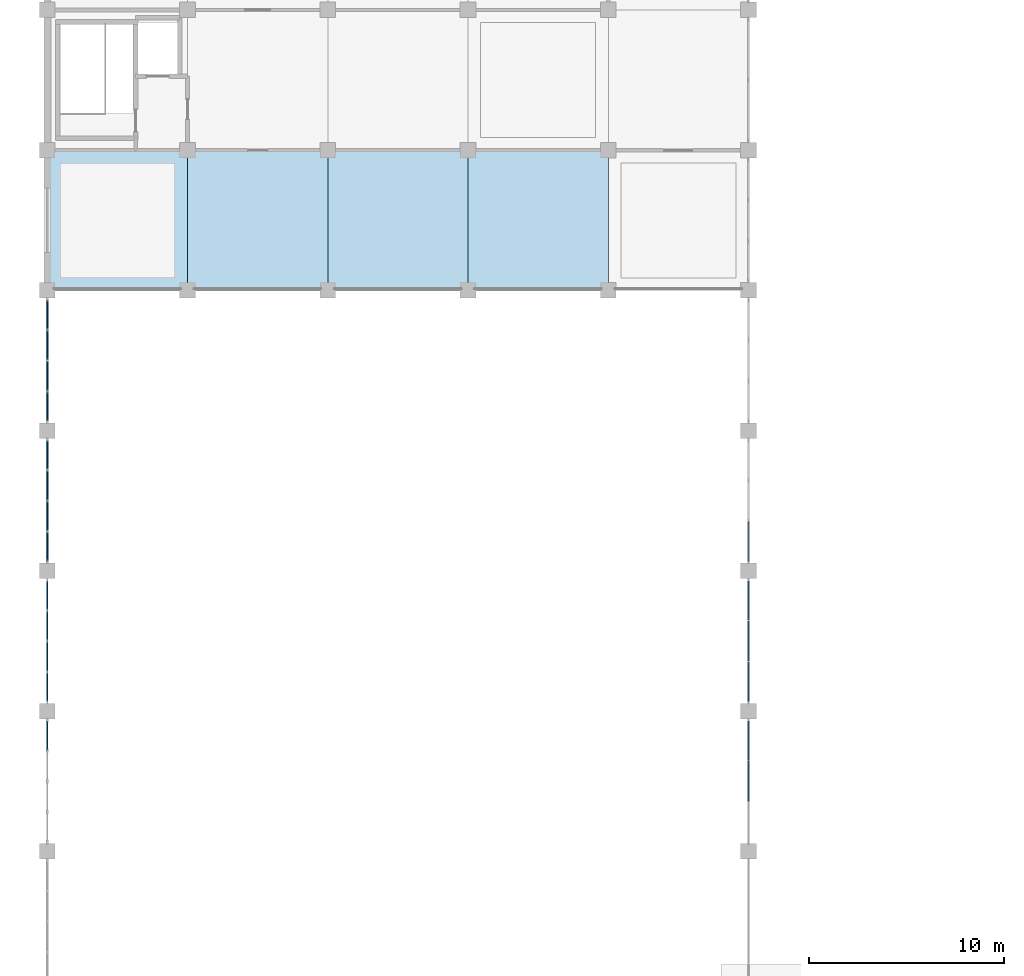
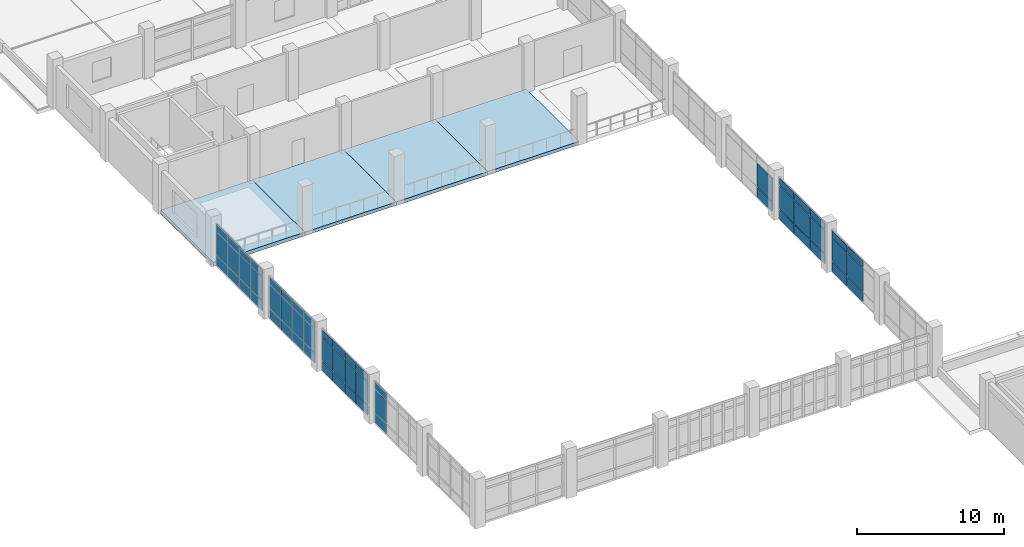
# One storey, part 33 of 62: 56 plates, 4 slabs, 7 elements without a shape of their own.
"""IFC4 building model written with IfcOpenShell, lengths in metres."""

from ifc_helpers import new_model, si_unit, direction, frame, origin, origin_2d, place, context, subcontext, project, spatial, polyline, rectangle, outline, extrude, material, layer, layer_set, type_object, element, aggregate, save


model = new_model("IFC4")

# Units and contexts
model_context = context("Model", 3, precision=1e-05, world=origin(), true_north=direction((0.0, 1.0)))
body_context = subcontext(model_context, "Body", "Model", "MODEL_VIEW")
ifc_project = project(units=[si_unit("LENGTHUNIT", "METRE"), si_unit("AREAUNIT", "SQUARE_METRE"), si_unit("VOLUMEUNIT", "CUBIC_METRE"), si_unit("PLANEANGLEUNIT", "RADIAN"), si_unit("MASSUNIT", "GRAM", prefix="KILO")], contexts=[model_context])

# Site, building, storey
site_placement = place(None, origin())
site = spatial("IfcSite", under=ifc_project, at=site_placement, CompositionType="ELEMENT")
building_placement = place(site_placement, origin())
building = spatial("IfcBuilding", under=site, at=building_placement, Name="Kavelor Marine Aquarium", CompositionType="ELEMENT")
storey_placement = place(building_placement, frame((0.0, 0.0, 13.5)))
storey = spatial("IfcBuildingStorey", under=building, at=storey_placement, Name="L03", CompositionType="ELEMENT", Elevation=13.5)

# Curtain wall, plates
ifc_material_1 = material(Name="Thermally Broken Aluminium and Low-E Glass", Category="aluminium")
ifc_layer_1 = layer(ifc_material_1, 0.236083984375)
ifc_layer_set_1 = layer_set([ifc_layer_1], Name="CW-SYS12")
curtain_wall_type_1 = type_object("IfcCurtainWallType", Name="CW-SYS12", PredefinedType="USERDEFINED", material=ifc_layer_set_1)
curtain_wall_1_placement = place(storey_placement, origin())
curtain_wall_1 = element("IfcCurtainWall", 1, at=curtain_wall_1_placement, inside=storey, type_object=curtain_wall_type_1, Name="cw:y:L03:00_04", ObjectType="Curtain Wall", PredefinedType="USERDEFINED")
ifc_material_2 = material(Name="Solar-Control Double Low-E Glazing", Category="glass")
ifc_layer_2 = layer(ifc_material_2, 0.072021484375)
ifc_layer_set_2 = layer_set([ifc_layer_2], Name="CWP-24")
plate_type_1 = type_object("IfcPlateType", Name="CWP-24", PredefinedType="CURTAIN_PANEL", material=ifc_layer_set_2)
plate_1_placement = place(storey_placement, frame((3.199951171875, 37.55126953125, 0.074951171875), z_axis=(0.0, 0.0, 1.0), x_axis=(0.0, -1.0, 0.0)))
plate_1 = element("IfcPlate", 2, at=plate_1_placement, type_object=plate_type_1, Name="CW12 panel 1.1", PredefinedType="CURTAIN_PANEL", context=body_context, shape_type="SweptSolid", body=[
    extrude(rectangle(XDim=1.487548828125, YDim=0.072021484375, at=origin_2d()), origin(), (0.0, 0.0, 1.0), 0.78759765625),
])
plate_2_placement = place(storey_placement, frame((3.199951171875, 37.55126953125, 0.9375), z_axis=(0.0, 0.0, 1.0), x_axis=(0.0, -1.0, 0.0)))
plate_2 = element("IfcPlate", 3, at=plate_2_placement, type_object=plate_type_1, Name="CW12 panel 1.2", PredefinedType="CURTAIN_PANEL", context=body_context, shape_type="SweptSolid", body=[
    extrude(rectangle(XDim=1.487548828125, YDim=0.072021484375, at=origin_2d()), origin(), (0.0, 0.0, 1.0), 1.905029296875),
])
plate_3_placement = place(storey_placement, frame((3.199951171875, 37.55126953125, 2.91748046875), z_axis=(0.0, 0.0, 1.0), x_axis=(0.0, -1.0, 0.0)))
plate_3 = element("IfcPlate", 4, at=plate_3_placement, type_object=plate_type_1, Name="CW12 panel 1.3", PredefinedType="CURTAIN_PANEL", context=body_context, shape_type="SweptSolid", body=[
    extrude(rectangle(XDim=1.487548828125, YDim=0.072021484375, at=origin_2d()), origin(), (0.0, 0.0, 1.0), 0.53759765625),
])
aggregate(curtain_wall_1, [plate_1, plate_2, plate_3])

ifc_material_3 = material(Name="Thermally Broken Aluminium and Low-E Glass", Category="aluminium")
ifc_layer_3 = layer(ifc_material_3, 0.243896484375)
ifc_layer_set_3 = layer_set([ifc_layer_3], Name="CW-SYS13")
curtain_wall_type_2 = type_object("IfcCurtainWallType", Name="CW-SYS13", PredefinedType="USERDEFINED", material=ifc_layer_set_3)
curtain_wall_2_placement = place(storey_placement, origin())
curtain_wall_2 = element("IfcCurtainWall", 5, at=curtain_wall_2_placement, inside=storey, type_object=curtain_wall_type_2, Name="cw:y:L03:00_05", ObjectType="Curtain Wall", PredefinedType="USERDEFINED")
ifc_material_4 = material(Name="Solar-Control Double Low-E Glazing", Category="glass")
ifc_layer_4 = layer(ifc_material_4, 0.073974609375)
ifc_layer_set_4 = layer_set([ifc_layer_4], Name="CWP-25")
plate_type_2 = type_object("IfcPlateType", Name="CWP-25", PredefinedType="CURTAIN_PANEL", material=ifc_layer_set_4)
plate_4_placement = place(storey_placement, frame((3.199951171875, 44.74755859375, 0.074951171875), z_axis=(0.0, 0.0, 1.0), x_axis=(0.0, -1.0, 0.0)))
plate_4 = element("IfcPlate", 6, at=plate_4_placement, type_object=plate_type_2, Name="CW13 panel 1.1", PredefinedType="CURTAIN_PANEL", context=body_context, shape_type="SweptSolid", body=[
    extrude(rectangle(XDim=1.465087890625, YDim=0.073974609375, at=origin_2d()), origin(), (0.0, 0.0, 1.0), 0.78759765625),
])
plate_5_placement = place(storey_placement, frame((3.199951171875, 44.74755859375, 0.9375), z_axis=(0.0, 0.0, 1.0), x_axis=(0.0, -1.0, 0.0)))
plate_5 = element("IfcPlate", 7, at=plate_5_placement, type_object=plate_type_2, Name="CW13 panel 1.2", PredefinedType="CURTAIN_PANEL", context=body_context, shape_type="SweptSolid", body=[
    extrude(rectangle(XDim=1.465087890625, YDim=0.073974609375, at=origin_2d()), origin(), (0.0, 0.0, 1.0), 1.905029296875),
])
plate_6_placement = place(storey_placement, frame((3.199951171875, 44.74755859375, 2.91748046875), z_axis=(0.0, 0.0, 1.0), x_axis=(0.0, -1.0, 0.0)))
plate_6 = element("IfcPlate", 8, at=plate_6_placement, type_object=plate_type_2, Name="CW13 panel 1.3", PredefinedType="CURTAIN_PANEL", context=body_context, shape_type="SweptSolid", body=[
    extrude(rectangle(XDim=1.465087890625, YDim=0.073974609375, at=origin_2d()), origin(), (0.0, 0.0, 1.0), 0.53759765625),
])
plate_7_placement = place(storey_placement, frame((3.199951171875, 43.188720703125, 0.074951171875), z_axis=(0.0, 0.0, 1.0), x_axis=(0.0, -1.0, 0.0)))
plate_7 = element("IfcPlate", 9, at=plate_7_placement, type_object=plate_type_2, Name="CW13 panel 2.1", PredefinedType="CURTAIN_PANEL", context=body_context, shape_type="SweptSolid", body=[
    extrude(rectangle(XDim=1.50244140625, YDim=0.073974609375, at=origin_2d()), origin(), (0.0, 0.0, 1.0), 0.78759765625),
])
plate_8_placement = place(storey_placement, frame((3.199951171875, 43.188720703125, 0.9375), z_axis=(0.0, 0.0, 1.0), x_axis=(0.0, -1.0, 0.0)))
plate_8 = element("IfcPlate", 10, at=plate_8_placement, type_object=plate_type_2, Name="CW13 panel 2.2", PredefinedType="CURTAIN_PANEL", context=body_context, shape_type="SweptSolid", body=[
    extrude(rectangle(XDim=1.50244140625, YDim=0.073974609375, at=origin_2d()), origin(), (0.0, 0.0, 1.0), 1.905029296875),
])
plate_9_placement = place(storey_placement, frame((3.199951171875, 43.188720703125, 2.91748046875), z_axis=(0.0, 0.0, 1.0), x_axis=(0.0, -1.0, 0.0)))
plate_9 = element("IfcPlate", 11, at=plate_9_placement, type_object=plate_type_2, Name="CW13 panel 2.3", PredefinedType="CURTAIN_PANEL", context=body_context, shape_type="SweptSolid", body=[
    extrude(rectangle(XDim=1.50244140625, YDim=0.073974609375, at=origin_2d()), origin(), (0.0, 0.0, 1.0), 0.53759765625),
])
plate_10_placement = place(storey_placement, frame((3.199951171875, 41.611328125, 0.074951171875), z_axis=(0.0, 0.0, 1.0), x_axis=(0.0, -1.0, 0.0)))
plate_10 = element("IfcPlate", 12, at=plate_10_placement, type_object=plate_type_2, Name="CW13 panel 3.1", PredefinedType="CURTAIN_PANEL", context=body_context, shape_type="SweptSolid", body=[
    extrude(rectangle(XDim=1.50244140625, YDim=0.073974609375, at=origin_2d()), origin(), (0.0, 0.0, 1.0), 0.78759765625),
])
plate_11_placement = place(storey_placement, frame((3.199951171875, 41.611328125, 0.9375), z_axis=(0.0, 0.0, 1.0), x_axis=(0.0, -1.0, 0.0)))
plate_11 = element("IfcPlate", 13, at=plate_11_placement, type_object=plate_type_2, Name="CW13 panel 3.2", PredefinedType="CURTAIN_PANEL", context=body_context, shape_type="SweptSolid", body=[
    extrude(rectangle(XDim=1.50244140625, YDim=0.073974609375, at=origin_2d()), origin(), (0.0, 0.0, 1.0), 1.905029296875),
])
plate_12_placement = place(storey_placement, frame((3.199951171875, 41.611328125, 2.91748046875), z_axis=(0.0, 0.0, 1.0), x_axis=(0.0, -1.0, 0.0)))
plate_12 = element("IfcPlate", 14, at=plate_12_placement, type_object=plate_type_2, Name="CW13 panel 3.3", PredefinedType="CURTAIN_PANEL", context=body_context, shape_type="SweptSolid", body=[
    extrude(rectangle(XDim=1.50244140625, YDim=0.073974609375, at=origin_2d()), origin(), (0.0, 0.0, 1.0), 0.53759765625),
])
plate_13_placement = place(storey_placement, frame((3.199951171875, 40.052490234375, 0.074951171875), z_axis=(0.0, 0.0, 1.0), x_axis=(0.0, -1.0, 0.0)))
plate_13 = element("IfcPlate", 15, at=plate_13_placement, type_object=plate_type_2, Name="CW13 panel 4.1", PredefinedType="CURTAIN_PANEL", context=body_context, shape_type="SweptSolid", body=[
    extrude(rectangle(XDim=1.465087890625, YDim=0.073974609375, at=origin_2d()), origin(), (0.0, 0.0, 1.0), 0.78759765625),
])
plate_14_placement = place(storey_placement, frame((3.199951171875, 40.052490234375, 0.9375), z_axis=(0.0, 0.0, 1.0), x_axis=(0.0, -1.0, 0.0)))
plate_14 = element("IfcPlate", 16, at=plate_14_placement, type_object=plate_type_2, Name="CW13 panel 4.2", PredefinedType="CURTAIN_PANEL", context=body_context, shape_type="SweptSolid", body=[
    extrude(rectangle(XDim=1.465087890625, YDim=0.073974609375, at=origin_2d()), origin(), (0.0, 0.0, 1.0), 1.905029296875),
])
plate_15_placement = place(storey_placement, frame((3.199951171875, 40.052490234375, 2.91748046875), z_axis=(0.0, 0.0, 1.0), x_axis=(0.0, -1.0, 0.0)))
plate_15 = element("IfcPlate", 17, at=plate_15_placement, type_object=plate_type_2, Name="CW13 panel 4.3", PredefinedType="CURTAIN_PANEL", context=body_context, shape_type="SweptSolid", body=[
    extrude(rectangle(XDim=1.465087890625, YDim=0.073974609375, at=origin_2d()), origin(), (0.0, 0.0, 1.0), 0.53759765625),
])
aggregate(curtain_wall_2, [plate_4, plate_5, plate_6, plate_7, plate_8, plate_9, plate_10, plate_11, plate_12, plate_13, plate_14, plate_15])

ifc_material_5 = material(Name="Thermally Broken Aluminium and Low-E Glass", Category="aluminium")
ifc_layer_5 = layer(ifc_material_5, 0.251953125)
ifc_layer_set_5 = layer_set([ifc_layer_5], Name="CW-SYS14")
curtain_wall_type_3 = type_object("IfcCurtainWallType", Name="CW-SYS14", PredefinedType="USERDEFINED", material=ifc_layer_set_5)
curtain_wall_3_placement = place(storey_placement, origin())
curtain_wall_3 = element("IfcCurtainWall", 18, at=curtain_wall_3_placement, inside=storey, type_object=curtain_wall_type_3, Name="cw:y:L03:00_06", ObjectType="Curtain Wall", PredefinedType="USERDEFINED")
ifc_material_6 = material(Name="Solar-Control Double Low-E Glazing", Category="glass")
ifc_layer_6 = layer(ifc_material_6, 0.075927734375)
ifc_layer_set_6 = layer_set([ifc_layer_6], Name="CWP-26")
plate_type_3 = type_object("IfcPlateType", Name="CWP-26", PredefinedType="CURTAIN_PANEL", material=ifc_layer_set_6)
plate_16_placement = place(storey_placement, frame((3.199951171875, 51.949951171875, 0.06494140625), z_axis=(0.0, 0.0, 1.0), x_axis=(0.0, -1.0, 0.0)))
plate_16 = element("IfcPlate", 19, at=plate_16_placement, type_object=plate_type_3, Name="CW14 panel 1.1", PredefinedType="CURTAIN_PANEL", context=body_context, shape_type="SweptSolid", body=[
    extrude(rectangle(XDim=1.47998046875, YDim=0.075927734375, at=origin_2d()), origin(), (0.0, 0.0, 1.0), 0.802490234375),
])
plate_17_placement = place(storey_placement, frame((3.199951171875, 51.949951171875, 0.932373046875), z_axis=(0.0, 0.0, 1.0), x_axis=(0.0, -1.0, 0.0)))
plate_17 = element("IfcPlate", 20, at=plate_17_placement, type_object=plate_type_3, Name="CW14 panel 1.2", PredefinedType="CURTAIN_PANEL", context=body_context, shape_type="SweptSolid", body=[
    extrude(rectangle(XDim=1.47998046875, YDim=0.075927734375, at=origin_2d()), origin(), (0.0, 0.0, 1.0), 1.9150390625),
])
plate_18_placement = place(storey_placement, frame((3.199951171875, 51.949951171875, 2.91259765625), z_axis=(0.0, 0.0, 1.0), x_axis=(0.0, -1.0, 0.0)))
plate_18 = element("IfcPlate", 21, at=plate_18_placement, type_object=plate_type_3, Name="CW14 panel 1.3", PredefinedType="CURTAIN_PANEL", context=body_context, shape_type="SweptSolid", body=[
    extrude(rectangle(XDim=1.47998046875, YDim=0.075927734375, at=origin_2d()), origin(), (0.0, 0.0, 1.0), 0.552490234375),
])
plate_19_placement = place(storey_placement, frame((3.199951171875, 50.388671875, 0.06494140625), z_axis=(0.0, 0.0, 1.0), x_axis=(0.0, -1.0, 0.0)))
plate_19 = element("IfcPlate", 22, at=plate_19_placement, type_object=plate_type_3, Name="CW14 panel 2.1", PredefinedType="CURTAIN_PANEL", context=body_context, shape_type="SweptSolid", body=[
    extrude(rectangle(XDim=1.512451171875, YDim=0.075927734375, at=origin_2d()), origin(), (0.0, 0.0, 1.0), 0.802490234375),
])
plate_20_placement = place(storey_placement, frame((3.199951171875, 50.388671875, 0.932373046875), z_axis=(0.0, 0.0, 1.0), x_axis=(0.0, -1.0, 0.0)))
plate_20 = element("IfcPlate", 23, at=plate_20_placement, type_object=plate_type_3, Name="CW14 panel 2.2", PredefinedType="CURTAIN_PANEL", context=body_context, shape_type="SweptSolid", body=[
    extrude(rectangle(XDim=1.512451171875, YDim=0.075927734375, at=origin_2d()), origin(), (0.0, 0.0, 1.0), 1.9150390625),
])
plate_21_placement = place(storey_placement, frame((3.199951171875, 50.388671875, 2.91259765625), z_axis=(0.0, 0.0, 1.0), x_axis=(0.0, -1.0, 0.0)))
plate_21 = element("IfcPlate", 24, at=plate_21_placement, type_object=plate_type_3, Name="CW14 panel 2.3", PredefinedType="CURTAIN_PANEL", context=body_context, shape_type="SweptSolid", body=[
    extrude(rectangle(XDim=1.512451171875, YDim=0.075927734375, at=origin_2d()), origin(), (0.0, 0.0, 1.0), 0.552490234375),
])
plate_22_placement = place(storey_placement, frame((3.199951171875, 48.811279296875, 0.06494140625), z_axis=(0.0, 0.0, 1.0), x_axis=(0.0, -1.0, 0.0)))
plate_22 = element("IfcPlate", 25, at=plate_22_placement, type_object=plate_type_3, Name="CW14 panel 3.1", PredefinedType="CURTAIN_PANEL", context=body_context, shape_type="SweptSolid", body=[
    extrude(rectangle(XDim=1.512451171875, YDim=0.075927734375, at=origin_2d()), origin(), (0.0, 0.0, 1.0), 0.802490234375),
])
plate_23_placement = place(storey_placement, frame((3.199951171875, 48.811279296875, 0.932373046875), z_axis=(0.0, 0.0, 1.0), x_axis=(0.0, -1.0, 0.0)))
plate_23 = element("IfcPlate", 26, at=plate_23_placement, type_object=plate_type_3, Name="CW14 panel 3.2", PredefinedType="CURTAIN_PANEL", context=body_context, shape_type="SweptSolid", body=[
    extrude(rectangle(XDim=1.512451171875, YDim=0.075927734375, at=origin_2d()), origin(), (0.0, 0.0, 1.0), 1.9150390625),
])
plate_24_placement = place(storey_placement, frame((3.199951171875, 48.811279296875, 2.91259765625), z_axis=(0.0, 0.0, 1.0), x_axis=(0.0, -1.0, 0.0)))
plate_24 = element("IfcPlate", 27, at=plate_24_placement, type_object=plate_type_3, Name="CW14 panel 3.3", PredefinedType="CURTAIN_PANEL", context=body_context, shape_type="SweptSolid", body=[
    extrude(rectangle(XDim=1.512451171875, YDim=0.075927734375, at=origin_2d()), origin(), (0.0, 0.0, 1.0), 0.552490234375),
])
plate_25_placement = place(storey_placement, frame((3.199951171875, 47.25, 0.06494140625), z_axis=(0.0, 0.0, 1.0), x_axis=(0.0, -1.0, 0.0)))
plate_25 = element("IfcPlate", 28, at=plate_25_placement, type_object=plate_type_3, Name="CW14 panel 4.1", PredefinedType="CURTAIN_PANEL", context=body_context, shape_type="SweptSolid", body=[
    extrude(rectangle(XDim=1.47998046875, YDim=0.075927734375, at=origin_2d()), origin(), (0.0, 0.0, 1.0), 0.802490234375),
])
plate_26_placement = place(storey_placement, frame((3.199951171875, 47.25, 0.932373046875), z_axis=(0.0, 0.0, 1.0), x_axis=(0.0, -1.0, 0.0)))
plate_26 = element("IfcPlate", 29, at=plate_26_placement, type_object=plate_type_3, Name="CW14 panel 4.2", PredefinedType="CURTAIN_PANEL", context=body_context, shape_type="SweptSolid", body=[
    extrude(rectangle(XDim=1.47998046875, YDim=0.075927734375, at=origin_2d()), origin(), (0.0, 0.0, 1.0), 1.9150390625),
])
plate_27_placement = place(storey_placement, frame((3.199951171875, 47.25, 2.91259765625), z_axis=(0.0, 0.0, 1.0), x_axis=(0.0, -1.0, 0.0)))
plate_27 = element("IfcPlate", 30, at=plate_27_placement, type_object=plate_type_3, Name="CW14 panel 4.3", PredefinedType="CURTAIN_PANEL", context=body_context, shape_type="SweptSolid", body=[
    extrude(rectangle(XDim=1.47998046875, YDim=0.075927734375, at=origin_2d()), origin(), (0.0, 0.0, 1.0), 0.552490234375),
])
aggregate(curtain_wall_3, [plate_16, plate_17, plate_18, plate_19, plate_20, plate_21, plate_22, plate_23, plate_24, plate_25, plate_26, plate_27])

ifc_material_7 = material(Name="Thermally Broken Aluminium and Low-E Glass", Category="aluminium")
ifc_layer_7 = layer(ifc_material_7, 0.260009765625)
ifc_layer_set_7 = layer_set([ifc_layer_7], Name="CW-SYS15")
curtain_wall_type_4 = type_object("IfcCurtainWallType", Name="CW-SYS15", PredefinedType="USERDEFINED", material=ifc_layer_set_7)
curtain_wall_4_placement = place(storey_placement, origin())
curtain_wall_4 = element("IfcCurtainWall", 31, at=curtain_wall_4_placement, inside=storey, type_object=curtain_wall_type_4, Name="cw:y:L03:00_07", ObjectType="Curtain Wall", PredefinedType="USERDEFINED")
ifc_material_8 = material(Name="Solar-Control Double Low-E Glazing", Category="glass")
ifc_layer_8 = layer(ifc_material_8, 0.077880859375)
ifc_layer_set_8 = layer_set([ifc_layer_8], Name="CWP-27")
plate_type_4 = type_object("IfcPlateType", Name="CWP-27", PredefinedType="CURTAIN_PANEL", material=ifc_layer_set_8)
plate_28_placement = place(storey_placement, frame((3.199951171875, 59.1513671875, 0.06494140625), z_axis=(0.0, 0.0, 1.0), x_axis=(0.0, -1.0, 0.0)))
plate_28 = element("IfcPlate", 32, at=plate_28_placement, type_object=plate_type_4, Name="CW15 panel 1.1", PredefinedType="CURTAIN_PANEL", context=body_context, shape_type="SweptSolid", body=[
    extrude(rectangle(XDim=1.487548828125, YDim=0.077880859375, at=origin_2d()), origin(), (0.0, 0.0, 1.0), 0.802490234375),
])
plate_29_placement = place(storey_placement, frame((3.199951171875, 59.1513671875, 0.932373046875), z_axis=(0.0, 0.0, 1.0), x_axis=(0.0, -1.0, 0.0)))
plate_29 = element("IfcPlate", 33, at=plate_29_placement, type_object=plate_type_4, Name="CW15 panel 1.2", PredefinedType="CURTAIN_PANEL", context=body_context, shape_type="SweptSolid", body=[
    extrude(rectangle(XDim=1.487548828125, YDim=0.077880859375, at=origin_2d()), origin(), (0.0, 0.0, 1.0), 1.9150390625),
])
plate_30_placement = place(storey_placement, frame((3.199951171875, 59.1513671875, 2.91259765625), z_axis=(0.0, 0.0, 1.0), x_axis=(0.0, -1.0, 0.0)))
plate_30 = element("IfcPlate", 34, at=plate_30_placement, type_object=plate_type_4, Name="CW15 panel 1.3", PredefinedType="CURTAIN_PANEL", context=body_context, shape_type="SweptSolid", body=[
    extrude(rectangle(XDim=1.487548828125, YDim=0.077880859375, at=origin_2d()), origin(), (0.0, 0.0, 1.0), 0.552490234375),
])
plate_31_placement = place(storey_placement, frame((3.199951171875, 57.5888671875, 0.06494140625), z_axis=(0.0, 0.0, 1.0), x_axis=(0.0, -1.0, 0.0)))
plate_31 = element("IfcPlate", 35, at=plate_31_placement, type_object=plate_type_4, Name="CW15 panel 2.1", PredefinedType="CURTAIN_PANEL", context=body_context, shape_type="SweptSolid", body=[
    extrude(rectangle(XDim=1.517578125, YDim=0.077880859375, at=origin_2d()), origin(), (0.0, 0.0, 1.0), 0.802490234375),
])
plate_32_placement = place(storey_placement, frame((3.199951171875, 57.5888671875, 0.932373046875), z_axis=(0.0, 0.0, 1.0), x_axis=(0.0, -1.0, 0.0)))
plate_32 = element("IfcPlate", 36, at=plate_32_placement, type_object=plate_type_4, Name="CW15 panel 2.2", PredefinedType="CURTAIN_PANEL", context=body_context, shape_type="SweptSolid", body=[
    extrude(rectangle(XDim=1.517578125, YDim=0.077880859375, at=origin_2d()), origin(), (0.0, 0.0, 1.0), 1.9150390625),
])
plate_33_placement = place(storey_placement, frame((3.199951171875, 57.5888671875, 2.91259765625), z_axis=(0.0, 0.0, 1.0), x_axis=(0.0, -1.0, 0.0)))
plate_33 = element("IfcPlate", 37, at=plate_33_placement, type_object=plate_type_4, Name="CW15 panel 2.3", PredefinedType="CURTAIN_PANEL", context=body_context, shape_type="SweptSolid", body=[
    extrude(rectangle(XDim=1.517578125, YDim=0.077880859375, at=origin_2d()), origin(), (0.0, 0.0, 1.0), 0.552490234375),
])
plate_34_placement = place(storey_placement, frame((3.199951171875, 56.01123046875, 0.06494140625), z_axis=(0.0, 0.0, 1.0), x_axis=(0.0, -1.0, 0.0)))
plate_34 = element("IfcPlate", 38, at=plate_34_placement, type_object=plate_type_4, Name="CW15 panel 3.1", PredefinedType="CURTAIN_PANEL", context=body_context, shape_type="SweptSolid", body=[
    extrude(rectangle(XDim=1.517578125, YDim=0.077880859375, at=origin_2d()), origin(), (0.0, 0.0, 1.0), 0.802490234375),
])
plate_35_placement = place(storey_placement, frame((3.199951171875, 56.01123046875, 0.932373046875), z_axis=(0.0, 0.0, 1.0), x_axis=(0.0, -1.0, 0.0)))
plate_35 = element("IfcPlate", 39, at=plate_35_placement, type_object=plate_type_4, Name="CW15 panel 3.2", PredefinedType="CURTAIN_PANEL", context=body_context, shape_type="SweptSolid", body=[
    extrude(rectangle(XDim=1.517578125, YDim=0.077880859375, at=origin_2d()), origin(), (0.0, 0.0, 1.0), 1.9150390625),
])
plate_36_placement = place(storey_placement, frame((3.199951171875, 56.01123046875, 2.91259765625), z_axis=(0.0, 0.0, 1.0), x_axis=(0.0, -1.0, 0.0)))
plate_36 = element("IfcPlate", 40, at=plate_36_placement, type_object=plate_type_4, Name="CW15 panel 3.3", PredefinedType="CURTAIN_PANEL", context=body_context, shape_type="SweptSolid", body=[
    extrude(rectangle(XDim=1.517578125, YDim=0.077880859375, at=origin_2d()), origin(), (0.0, 0.0, 1.0), 0.552490234375),
])
plate_37_placement = place(storey_placement, frame((3.199951171875, 54.44873046875, 0.06494140625), z_axis=(0.0, 0.0, 1.0), x_axis=(0.0, -1.0, 0.0)))
plate_37 = element("IfcPlate", 41, at=plate_37_placement, type_object=plate_type_4, Name="CW15 panel 4.1", PredefinedType="CURTAIN_PANEL", context=body_context, shape_type="SweptSolid", body=[
    extrude(rectangle(XDim=1.487548828125, YDim=0.077880859375, at=origin_2d()), origin(), (0.0, 0.0, 1.0), 0.802490234375),
])
plate_38_placement = place(storey_placement, frame((3.199951171875, 54.44873046875, 0.932373046875), z_axis=(0.0, 0.0, 1.0), x_axis=(0.0, -1.0, 0.0)))
plate_38 = element("IfcPlate", 42, at=plate_38_placement, type_object=plate_type_4, Name="CW15 panel 4.2", PredefinedType="CURTAIN_PANEL", context=body_context, shape_type="SweptSolid", body=[
    extrude(rectangle(XDim=1.487548828125, YDim=0.077880859375, at=origin_2d()), origin(), (0.0, 0.0, 1.0), 1.9150390625),
])
plate_39_placement = place(storey_placement, frame((3.199951171875, 54.44873046875, 2.91259765625), z_axis=(0.0, 0.0, 1.0), x_axis=(0.0, -1.0, 0.0)))
plate_39 = element("IfcPlate", 43, at=plate_39_placement, type_object=plate_type_4, Name="CW15 panel 4.3", PredefinedType="CURTAIN_PANEL", context=body_context, shape_type="SweptSolid", body=[
    extrude(rectangle(XDim=1.487548828125, YDim=0.077880859375, at=origin_2d()), origin(), (0.0, 0.0, 1.0), 0.552490234375),
])
aggregate(curtain_wall_4, [plate_28, plate_29, plate_30, plate_31, plate_32, plate_33, plate_34, plate_35, plate_36, plate_37, plate_38, plate_39])

ifc_material_9 = material(Name="Thermally Broken Aluminium and Low-E Glass", Category="aluminium")
ifc_layer_9 = layer(ifc_material_9, 0.283935546875)
ifc_layer_set_9 = layer_set([ifc_layer_9], Name="CW-SYS18")
curtain_wall_type_5 = type_object("IfcCurtainWallType", Name="CW-SYS18", PredefinedType="USERDEFINED", material=ifc_layer_set_9)
curtain_wall_5_placement = place(storey_placement, origin())
curtain_wall_5 = element("IfcCurtainWall", 44, at=curtain_wall_5_placement, inside=storey, type_object=curtain_wall_type_5, Name="cw:y:L03:05_04", ObjectType="Curtain Wall", PredefinedType="USERDEFINED")
ifc_material_10 = material(Name="Solar-Control Double Low-E Glazing", Category="glass")
ifc_layer_10 = layer(ifc_material_10, 0.083984375)
ifc_layer_set_10 = layer_set([ifc_layer_10], Name="CWP-30")
plate_type_5 = type_object("IfcPlateType", Name="CWP-30", PredefinedType="CURTAIN_PANEL", material=ifc_layer_set_10)
plate_40_placement = place(storey_placement, frame((39.199951171875, 35.199951171875, 0.074951171875), z_axis=(0.0, 0.0, 1.0), x_axis=(0.0, 1.0, 0.0)))
plate_40 = element("IfcPlate", 45, at=plate_40_placement, type_object=plate_type_5, Name="CW18 panel 2.1", PredefinedType="CURTAIN_PANEL", context=body_context, shape_type="SweptSolid", body=[
    extrude(rectangle(XDim=2.043212890625, YDim=0.083984375, at=origin_2d()), origin(), (0.0, 0.0, 1.0), 0.78759765625),
])
plate_41_placement = place(storey_placement, frame((39.199951171875, 35.199951171875, 0.9375), z_axis=(0.0, 0.0, 1.0), x_axis=(0.0, 1.0, 0.0)))
plate_41 = element("IfcPlate", 46, at=plate_41_placement, type_object=plate_type_5, Name="CW18 panel 2.2", PredefinedType="CURTAIN_PANEL", context=body_context, shape_type="SweptSolid", body=[
    extrude(rectangle(XDim=2.043212890625, YDim=0.083984375, at=origin_2d()), origin(), (0.0, 0.0, 1.0), 1.905029296875),
])
plate_42_placement = place(storey_placement, frame((39.199951171875, 35.199951171875, 2.91748046875), z_axis=(0.0, 0.0, 1.0), x_axis=(0.0, 1.0, 0.0)))
plate_42 = element("IfcPlate", 47, at=plate_42_placement, type_object=plate_type_5, Name="CW18 panel 2.3", PredefinedType="CURTAIN_PANEL", context=body_context, shape_type="SweptSolid", body=[
    extrude(rectangle(XDim=2.043212890625, YDim=0.083984375, at=origin_2d()), origin(), (0.0, 0.0, 1.0), 0.53759765625),
])
plate_43_placement = place(storey_placement, frame((39.199951171875, 37.288330078125, 0.074951171875), z_axis=(0.0, 0.0, 1.0), x_axis=(0.0, 1.0, 0.0)))
plate_43 = element("IfcPlate", 48, at=plate_43_placement, type_object=plate_type_5, Name="CW18 panel 3.1", PredefinedType="CURTAIN_PANEL", context=body_context, shape_type="SweptSolid", body=[
    extrude(rectangle(XDim=2.013427734375, YDim=0.083984375, at=origin_2d()), origin(), (0.0, 0.0, 1.0), 0.78759765625),
])
plate_44_placement = place(storey_placement, frame((39.199951171875, 37.288330078125, 0.9375), z_axis=(0.0, 0.0, 1.0), x_axis=(0.0, 1.0, 0.0)))
plate_44 = element("IfcPlate", 49, at=plate_44_placement, type_object=plate_type_5, Name="CW18 panel 3.2", PredefinedType="CURTAIN_PANEL", context=body_context, shape_type="SweptSolid", body=[
    extrude(rectangle(XDim=2.013427734375, YDim=0.083984375, at=origin_2d()), origin(), (0.0, 0.0, 1.0), 1.905029296875),
])
plate_45_placement = place(storey_placement, frame((39.199951171875, 37.288330078125, 2.91748046875), z_axis=(0.0, 0.0, 1.0), x_axis=(0.0, 1.0, 0.0)))
plate_45 = element("IfcPlate", 50, at=plate_45_placement, type_object=plate_type_5, Name="CW18 panel 3.3", PredefinedType="CURTAIN_PANEL", context=body_context, shape_type="SweptSolid", body=[
    extrude(rectangle(XDim=2.013427734375, YDim=0.083984375, at=origin_2d()), origin(), (0.0, 0.0, 1.0), 0.53759765625),
])
aggregate(curtain_wall_5, [plate_40, plate_41, plate_42, plate_43, plate_44, plate_45])

ifc_material_11 = material(Name="Thermally Broken Aluminium and Low-E Glass", Category="aluminium")
ifc_layer_11 = layer(ifc_material_11, 0.2919921875)
ifc_layer_set_11 = layer_set([ifc_layer_11], Name="CW-SYS19")
curtain_wall_type_6 = type_object("IfcCurtainWallType", Name="CW-SYS19", PredefinedType="USERDEFINED", material=ifc_layer_set_11)
curtain_wall_6_placement = place(storey_placement, origin())
curtain_wall_6 = element("IfcCurtainWall", 51, at=curtain_wall_6_placement, inside=storey, type_object=curtain_wall_type_6, Name="cw:y:L03:05_05", ObjectType="Curtain Wall", PredefinedType="USERDEFINED")
ifc_material_12 = material(Name="Laminated Cast Acrylic Viewing Glazing", Category="glass")
ifc_layer_12 = layer(ifc_material_12, 0.0859375)
ifc_layer_set_12 = layer_set([ifc_layer_12], Name="CWP-31")
plate_type_6 = type_object("IfcPlateType", Name="CWP-31", PredefinedType="CURTAIN_PANEL", material=ifc_layer_set_12)
plate_46_placement = place(storey_placement, frame((39.199951171875, 40.3154296875, 0.074951171875), z_axis=(0.0, 0.0, 1.0), x_axis=(0.0, 1.0, 0.0)))
plate_46 = element("IfcPlate", 52, at=plate_46_placement, type_object=plate_type_6, Name="CW19 panel 1.1", PredefinedType="CURTAIN_PANEL", context=body_context, shape_type="SweptSolid", body=[
    extrude(rectangle(XDim=1.99072265625, YDim=0.0859375, at=origin_2d()), origin(), (0.0, 0.0, 1.0), 0.78759765625),
])
plate_47_placement = place(storey_placement, frame((39.199951171875, 40.3154296875, 0.9375), z_axis=(0.0, 0.0, 1.0), x_axis=(0.0, 1.0, 0.0)))
plate_47 = element("IfcPlate", 53, at=plate_47_placement, type_object=plate_type_6, Name="CW19 panel 1.2", PredefinedType="CURTAIN_PANEL", context=body_context, shape_type="SweptSolid", body=[
    extrude(rectangle(XDim=1.99072265625, YDim=0.0859375, at=origin_2d()), origin(), (0.0, 0.0, 1.0), 1.905029296875),
])
plate_48_placement = place(storey_placement, frame((39.199951171875, 40.3154296875, 2.91748046875), z_axis=(0.0, 0.0, 1.0), x_axis=(0.0, 1.0, 0.0)))
plate_48 = element("IfcPlate", 54, at=plate_48_placement, type_object=plate_type_6, Name="CW19 panel 1.3", PredefinedType="CURTAIN_PANEL", context=body_context, shape_type="SweptSolid", body=[
    extrude(rectangle(XDim=1.99072265625, YDim=0.0859375, at=origin_2d()), origin(), (0.0, 0.0, 1.0), 0.53759765625),
])
plate_49_placement = place(storey_placement, frame((39.199951171875, 42.39990234375, 0.074951171875), z_axis=(0.0, 0.0, 1.0), x_axis=(0.0, 1.0, 0.0)))
plate_49 = element("IfcPlate", 55, at=plate_49_placement, type_object=plate_type_6, Name="CW19 panel 2.1", PredefinedType="CURTAIN_PANEL", context=body_context, shape_type="SweptSolid", body=[
    extrude(rectangle(XDim=2.0283203125, YDim=0.0859375, at=origin_2d()), origin(), (0.0, 0.0, 1.0), 0.78759765625),
])
plate_50_placement = place(storey_placement, frame((39.199951171875, 42.39990234375, 0.9375), z_axis=(0.0, 0.0, 1.0), x_axis=(0.0, 1.0, 0.0)))
plate_50 = element("IfcPlate", 56, at=plate_50_placement, type_object=plate_type_6, Name="CW19 panel 2.2", PredefinedType="CURTAIN_PANEL", context=body_context, shape_type="SweptSolid", body=[
    extrude(rectangle(XDim=2.0283203125, YDim=0.0859375, at=origin_2d()), origin(), (0.0, 0.0, 1.0), 1.905029296875),
])
plate_51_placement = place(storey_placement, frame((39.199951171875, 42.39990234375, 2.91748046875), z_axis=(0.0, 0.0, 1.0), x_axis=(0.0, 1.0, 0.0)))
plate_51 = element("IfcPlate", 57, at=plate_51_placement, type_object=plate_type_6, Name="CW19 panel 2.3", PredefinedType="CURTAIN_PANEL", context=body_context, shape_type="SweptSolid", body=[
    extrude(rectangle(XDim=2.0283203125, YDim=0.0859375, at=origin_2d()), origin(), (0.0, 0.0, 1.0), 0.53759765625),
])
plate_52_placement = place(storey_placement, frame((39.199951171875, 44.484619140625, 0.074951171875), z_axis=(0.0, 0.0, 1.0), x_axis=(0.0, 1.0, 0.0)))
plate_52 = element("IfcPlate", 58, at=plate_52_placement, type_object=plate_type_6, Name="CW19 panel 3.1", PredefinedType="CURTAIN_PANEL", context=body_context, shape_type="SweptSolid", body=[
    extrude(rectangle(XDim=1.99072265625, YDim=0.0859375, at=origin_2d()), origin(), (0.0, 0.0, 1.0), 0.78759765625),
])
plate_53_placement = place(storey_placement, frame((39.199951171875, 44.484619140625, 0.9375), z_axis=(0.0, 0.0, 1.0), x_axis=(0.0, 1.0, 0.0)))
plate_53 = element("IfcPlate", 59, at=plate_53_placement, type_object=plate_type_6, Name="CW19 panel 3.2", PredefinedType="CURTAIN_PANEL", context=body_context, shape_type="SweptSolid", body=[
    extrude(rectangle(XDim=1.99072265625, YDim=0.0859375, at=origin_2d()), origin(), (0.0, 0.0, 1.0), 1.905029296875),
])
plate_54_placement = place(storey_placement, frame((39.199951171875, 44.484619140625, 2.91748046875), z_axis=(0.0, 0.0, 1.0), x_axis=(0.0, 1.0, 0.0)))
plate_54 = element("IfcPlate", 60, at=plate_54_placement, type_object=plate_type_6, Name="CW19 panel 3.3", PredefinedType="CURTAIN_PANEL", context=body_context, shape_type="SweptSolid", body=[
    extrude(rectangle(XDim=1.99072265625, YDim=0.0859375, at=origin_2d()), origin(), (0.0, 0.0, 1.0), 0.53759765625),
])
aggregate(curtain_wall_6, [plate_46, plate_47, plate_48, plate_49, plate_50, plate_51, plate_52, plate_53, plate_54])

ifc_material_13 = material(Name="Thermally Broken Aluminium and Low-E Glass", Category="aluminium")
ifc_layer_13 = layer(ifc_material_13, 0.300048828125)
ifc_layer_set_13 = layer_set([ifc_layer_13], Name="CW-SYS20")
curtain_wall_type_7 = type_object("IfcCurtainWallType", Name="CW-SYS20", PredefinedType="USERDEFINED", material=ifc_layer_set_13)
curtain_wall_7_placement = place(storey_placement, origin())
curtain_wall_7 = element("IfcCurtainWall", 61, at=curtain_wall_7_placement, inside=storey, type_object=curtain_wall_type_7, Name="cw:y:L03:05_06", ObjectType="Curtain Wall", PredefinedType="USERDEFINED")
ifc_material_14 = material(Name="Laminated Cast Acrylic Viewing Glazing", Category="glass")
ifc_layer_14 = layer(ifc_material_14, 0.087890625)
ifc_layer_set_14 = layer_set([ifc_layer_14], Name="CWP-32")
plate_type_7 = type_object("IfcPlateType", Name="CWP-32", PredefinedType="CURTAIN_PANEL", material=ifc_layer_set_14)
plate_55_placement = place(storey_placement, frame((39.199951171875, 47.512939453125, 0.06494140625), z_axis=(0.0, 0.0, 1.0), x_axis=(0.0, 1.0, 0.0)))
plate_55 = element("IfcPlate", 62, at=plate_55_placement, type_object=plate_type_7, Name="CW20 panel 1.1", PredefinedType="CURTAIN_PANEL", context=body_context, shape_type="SweptSolid", body=[
    extrude(rectangle(XDim=2.005859375, YDim=0.087890625, at=origin_2d()), origin(), (0.0, 0.0, 1.0), 0.802490234375),
])
plate_56_placement = place(storey_placement, frame((39.199951171875, 47.512939453125, 0.932373046875), z_axis=(0.0, 0.0, 1.0), x_axis=(0.0, 1.0, 0.0)))
plate_56 = element("IfcPlate", 63, at=plate_56_placement, type_object=plate_type_7, Name="CW20 panel 1.2", PredefinedType="CURTAIN_PANEL", context=body_context, shape_type="SweptSolid", body=[
    extrude(rectangle(XDim=2.005859375, YDim=0.087890625, at=origin_2d()), origin(), (0.0, 0.0, 1.0), 1.9150390625),
])
aggregate(curtain_wall_7, [plate_55, plate_56])

# Slabs
ifc_material_15 = material(Name="Concrete C40/50", Category="concrete")
ifc_layer_15 = layer(ifc_material_15, 0.300048828125)
ifc_layer_set_15 = layer_set([ifc_layer_15], Name="SL-FL1")
slab_type_1 = type_object("IfcSlabType", Name="SL-FL1", PredefinedType="FLOOR", material=ifc_layer_set_15)
slab_1_placement = place(storey_placement, frame((0.0, 0.0, -0.300048828125)))
element("IfcSlab", 64, at=slab_1_placement, inside=storey, type_object=slab_type_1, Name="slab:L03:00_08", PredefinedType="FLOOR", context=body_context, shape_type="SweptSolid", body=[
    extrude(outline(polyline([(3.199951171875, 60.39990234375), (10.39990234375, 60.39990234375), (10.39990234375, 67.60009765625), (3.199951171875, 67.60009765625), (3.199951171875, 60.39990234375)])), origin(), (0.0, 0.0, 1.0), 0.300048828125),
])
slab_2_placement = place(storey_placement, frame((0.0, 0.0, -0.300048828125)))
element("IfcSlab", 65, at=slab_2_placement, inside=storey, type_object=slab_type_1, Name="slab:L03:02_08", PredefinedType="FLOOR", context=body_context, shape_type="SweptSolid", body=[
    extrude(outline(polyline([(17.60009765625, 60.39990234375), (24.800048828125, 60.39990234375), (24.800048828125, 67.60009765625), (17.60009765625, 67.60009765625), (17.60009765625, 60.39990234375)])), origin(), (0.0, 0.0, 1.0), 0.300048828125),
])
ifc_material_16 = material(Name="Concrete C40/50", Category="concrete")
ifc_layer_16 = layer(ifc_material_16, 0.280029296875)
ifc_layer_set_16 = layer_set([ifc_layer_16], Name="SL-FL2")
slab_type_2 = type_object("IfcSlabType", Name="SL-FL2", PredefinedType="FLOOR", material=ifc_layer_set_16)
slab_3_placement = place(storey_placement, frame((0.0, 0.0, -0.280029296875)))
element("IfcSlab", 66, at=slab_3_placement, inside=storey, type_object=slab_type_2, Name="slab:L03:01_08", PredefinedType="FLOOR", context=body_context, shape_type="SweptSolid", body=[
    extrude(outline(polyline([(10.39990234375, 60.39990234375), (17.60009765625, 60.39990234375), (17.60009765625, 67.60009765625), (10.39990234375, 67.60009765625), (10.39990234375, 60.39990234375)])), origin(), (0.0, 0.0, 1.0), 0.280029296875),
])
slab_4_placement = place(storey_placement, frame((0.0, 0.0, -0.280029296875)))
element("IfcSlab", 67, at=slab_4_placement, inside=storey, type_object=slab_type_2, Name="slab:L03:03_08", PredefinedType="FLOOR", context=body_context, shape_type="SweptSolid", body=[
    extrude(outline(polyline([(24.800048828125, 60.39990234375), (32.0, 60.39990234375), (32.0, 67.60009765625), (24.800048828125, 67.60009765625), (24.800048828125, 60.39990234375)])), origin(), (0.0, 0.0, 1.0), 0.280029296875),
])

save(model, "model.ifc")
